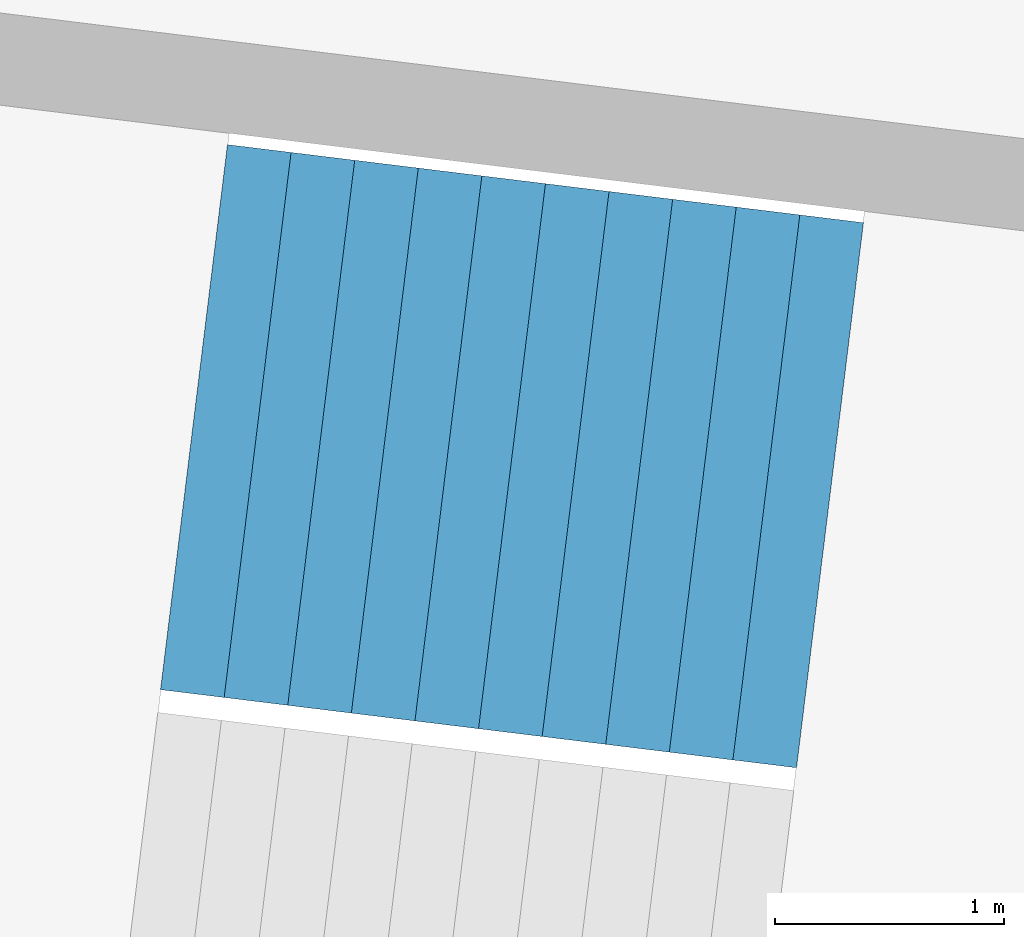
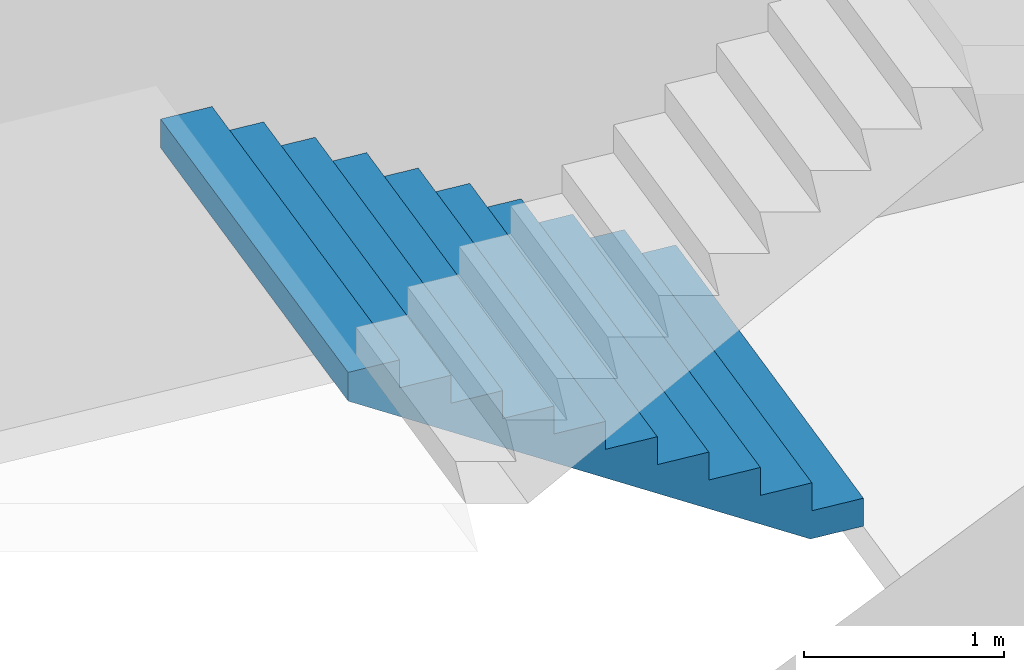
# One storey, part 28 of 73: 1 stair flight, 1 element without a shape of its own.
"""IFC4 building model written with IfcOpenShell, lengths in metres."""

from ifc_helpers import new_model, si_unit, direction, frame, origin, place, context, subcontext, project, spatial, triangles, material, type_object, element, aggregate, save


model = new_model("IFC4")

# Units and contexts
model_context = context("Model", 3, precision=1e-05, world=origin(), true_north=direction((0.0, 1.0)))
body_context = subcontext(model_context, "Body", "Model", "MODEL_VIEW")
ifc_project = project(units=[si_unit("LENGTHUNIT", "METRE"), si_unit("AREAUNIT", "SQUARE_METRE"), si_unit("VOLUMEUNIT", "CUBIC_METRE"), si_unit("PLANEANGLEUNIT", "RADIAN"), si_unit("MASSUNIT", "GRAM", prefix="KILO")], contexts=[model_context])

# Site, building, storey
site_placement = place(None, origin())
site = spatial("IfcSite", under=ifc_project, at=site_placement, CompositionType="ELEMENT")
building_placement = place(site_placement, origin())
building = spatial("IfcBuilding", under=site, at=building_placement, Name="Lantaw Convention Tower", CompositionType="ELEMENT")
storey_placement = place(building_placement, frame((0.0, 0.0, 14.5)))
storey = spatial("IfcBuildingStorey", under=building, at=storey_placement, Name="L02", CompositionType="ELEMENT", Elevation=14.5)

# Stair, stair flight
ifc_material = material(Name="Concrete C35/45", Category="concrete")
stair_type = type_object("IfcStairType", Name="Exit stair 2400 riser 170.45 in 4 flights", PredefinedType="HALF_TURN_STAIR", material=ifc_material)
stair_placement = place(storey_placement, origin())
stair = element("IfcStair", 1, at=stair_placement, inside=storey, type_object=stair_type, Name="Podium exit stair P9 L02", PredefinedType="HALF_TURN_STAIR")
stair_flight_type = type_object("IfcStairFlightType", Name="Stair flight 2400 riser 170.45", PredefinedType="STRAIGHT", material=ifc_material)
stair_flight_placement = place(storey_placement, frame((-37.9716796875, 5.921630859375, 0.0), z_axis=(0.0, 0.0, 1.0), x_axis=(-0.992546151641, 0.121869343405, 0.0)))
stair_flight = element("IfcStairFlight", 2, at=stair_flight_placement, type_object=stair_flight_type, Name="P9 flight 1", NumberOfRisers=11, NumberOfTreads=10, PredefinedType="STRAIGHT", RiserHeight=0.170454545, TreadLength=0.28, context=body_context, shape_type="Tessellation", body=[
    triangles([(0.0, 1.199951171875, 0.0), (0.0, 1.199951171875, 0.170454545), (0.28, 1.199951171875, 0.0), (0.28, 1.199951171875, 0.170454545), (0.28, 1.199951171875, 0.34090909), (0.28827876332691904, 1.199951171875, 0.0), (0.28827876332691904, 1.199951171875, 0.34090909), (0.56, 1.199951171875, 0.16541471344266906), (0.56, 1.199951171875, 0.34090909), (0.56, 1.199951171875, 0.511363635), (0.8400000000000001, 1.199951171875, 0.335869258442669), (0.8400000000000001, 1.199951171875, 0.511363635), (0.8400000000000001, 1.199951171875, 0.68181818), (1.12, 1.199951171875, 0.506323803442669), (1.12, 1.199951171875, 0.68181818), (1.12, 1.199951171875, 0.8522727250000001), (1.4000000000000001, 1.199951171875, 0.676778348442669), (1.4000000000000001, 1.199951171875, 0.8522727250000001), (1.4000000000000001, 1.199951171875, 1.02272727), (1.6800000000000002, 1.199951171875, 0.847232893442669), (1.6800000000000002, 1.199951171875, 1.02272727), (1.6800000000000002, 1.199951171875, 1.193181815), (1.9600000000000002, 1.199951171875, 1.017687438442669), (1.9600000000000002, 1.199951171875, 1.193181815), (1.9600000000000002, 1.199951171875, 1.36363636), (2.24, 1.199951171875, 1.188141983442669), (2.24, 1.199951171875, 1.36363636), (2.24, 1.199951171875, 1.5340909050000002), (2.5200000000000005, 1.199951171875, 1.358596528442669), (2.5200000000000005, 1.199951171875, 1.5340909050000002), (2.5200000000000005, 1.199951171875, 1.7045454500000001), (2.8000000000000003, 1.199951171875, 1.529051073442669), (2.8000000000000003, 1.199951171875, 1.7045454500000001), (0.0, -1.199951171875, 0.0), (0.0, -1.199951171875, 0.170454545), (0.28, -1.199951171875, 0.0), (0.28, -1.199951171875, 0.170454545), (0.28, -1.199951171875, 0.34090909), (0.28827876332691904, -1.199951171875, 0.0), (0.28827876332691904, -1.199951171875, 0.34090909), (0.56, -1.199951171875, 0.16541471344266906), (0.56, -1.199951171875, 0.34090909), (0.56, -1.199951171875, 0.511363635), (0.8400000000000001, -1.199951171875, 0.335869258442669), (0.8400000000000001, -1.199951171875, 0.511363635), (0.8400000000000001, -1.199951171875, 0.68181818), (1.12, -1.199951171875, 0.506323803442669), (1.12, -1.199951171875, 0.68181818), (1.12, -1.199951171875, 0.8522727250000001), (1.4000000000000001, -1.199951171875, 0.676778348442669), (1.4000000000000001, -1.199951171875, 0.8522727250000001), (1.4000000000000001, -1.199951171875, 1.02272727), (1.6800000000000002, -1.199951171875, 0.847232893442669), (1.6800000000000002, -1.199951171875, 1.02272727), (1.6800000000000002, -1.199951171875, 1.193181815), (1.9600000000000002, -1.199951171875, 1.017687438442669), (1.9600000000000002, -1.199951171875, 1.193181815), (1.9600000000000002, -1.199951171875, 1.36363636), (2.24, -1.199951171875, 1.188141983442669), (2.24, -1.199951171875, 1.36363636), (2.24, -1.199951171875, 1.5340909050000002), (2.5200000000000005, -1.199951171875, 1.358596528442669), (2.5200000000000005, -1.199951171875, 1.5340909050000002), (2.5200000000000005, -1.199951171875, 1.7045454500000001), (2.8000000000000003, -1.199951171875, 1.529051073442669), (2.8000000000000003, -1.199951171875, 1.7045454500000001), (0.0, 0.239990234375, 0.170454545), (0.0, 0.239990234375, 0.0), (0.0, 0.1199951171875, 0.170454545), (0.0, 0.1199951171875, 0.0), (0.0, 0.0, 0.170454545), (0.0, 0.0, 0.0), (0.0, -0.1199951171875, 0.170454545), (0.0, -0.1199951171875, 0.0), (0.0, -0.239990234375, 0.170454545), (0.0, -0.239990234375, 0.0), (0.28, 0.239990234375, 0.34090909), (0.28, 0.239990234375, 0.170454545), (0.28, 0.1199951171875, 0.34090909), (0.28, 0.1199951171875, 0.170454545), (0.28, 0.0, 0.34090909), (0.28, 0.0, 0.170454545), (0.28, -0.1199951171875, 0.34090909), (0.28, -0.1199951171875, 0.170454545), (0.28, -0.239990234375, 0.34090909), (0.28, -0.239990234375, 0.170454545), (0.56, 0.239990234375, 0.511363635), (0.56, 0.239990234375, 0.34090909), (0.56, 0.1199951171875, 0.511363635), (0.56, 0.1199951171875, 0.34090909), (0.56, 0.0, 0.511363635), (0.56, 0.0, 0.34090909), (0.56, -0.1199951171875, 0.511363635), (0.56, -0.1199951171875, 0.34090909), (0.56, -0.239990234375, 0.511363635), (0.56, -0.239990234375, 0.34090909), (0.8400000000000001, 0.239990234375, 0.68181818), (0.8400000000000001, 0.239990234375, 0.511363635), (0.8400000000000001, 0.1199951171875, 0.68181818), (0.8400000000000001, 0.1199951171875, 0.511363635), (0.8400000000000001, 0.0, 0.68181818), (0.8400000000000001, 0.0, 0.511363635), (0.8400000000000001, -0.1199951171875, 0.68181818), (0.8400000000000001, -0.1199951171875, 0.511363635), (0.8400000000000001, -0.239990234375, 0.68181818), (0.8400000000000001, -0.239990234375, 0.511363635), (1.12, 0.239990234375, 0.8522727250000001), (1.12, 0.239990234375, 0.68181818), (1.12, 0.1199951171875, 0.8522727250000001), (1.12, 0.1199951171875, 0.68181818), (1.12, 0.0, 0.8522727250000001), (1.12, 0.0, 0.68181818), (1.12, -0.1199951171875, 0.8522727250000001), (1.12, -0.1199951171875, 0.68181818), (1.12, -0.239990234375, 0.8522727250000001), (1.12, -0.239990234375, 0.68181818), (1.4000000000000001, 0.239990234375, 1.02272727), (1.4000000000000001, 0.239990234375, 0.8522727250000001), (1.4000000000000001, 0.1199951171875, 1.02272727), (1.4000000000000001, 0.1199951171875, 0.8522727250000001), (1.4000000000000001, 0.0, 1.02272727), (1.4000000000000001, 0.0, 0.8522727250000001), (1.4000000000000001, -0.1199951171875, 1.02272727), (1.4000000000000001, -0.1199951171875, 0.8522727250000001), (1.4000000000000001, -0.239990234375, 1.02272727), (1.4000000000000001, -0.239990234375, 0.8522727250000001), (1.6800000000000002, 0.239990234375, 1.193181815), (1.6800000000000002, 0.239990234375, 1.02272727), (1.6800000000000002, 0.1199951171875, 1.193181815), (1.6800000000000002, 0.1199951171875, 1.02272727), (1.6800000000000002, 0.0, 1.193181815), (1.6800000000000002, 0.0, 1.02272727), (1.6800000000000002, -0.1199951171875, 1.193181815), (1.6800000000000002, -0.1199951171875, 1.02272727), (1.6800000000000002, -0.239990234375, 1.193181815), (1.6800000000000002, -0.239990234375, 1.02272727), (1.9600000000000002, 0.239990234375, 1.36363636), (1.9600000000000002, 0.239990234375, 1.193181815), (1.9600000000000002, 0.1199951171875, 1.36363636), (1.9600000000000002, 0.1199951171875, 1.193181815), (1.9600000000000002, 0.0, 1.36363636), (1.9600000000000002, 0.0, 1.193181815), (1.9600000000000002, -0.1199951171875, 1.36363636), (1.9600000000000002, -0.1199951171875, 1.193181815), (1.9600000000000002, -0.239990234375, 1.36363636), (1.9600000000000002, -0.239990234375, 1.193181815), (2.24, 0.239990234375, 1.5340909050000002), (2.24, 0.239990234375, 1.36363636), (2.24, 0.1199951171875, 1.5340909050000002), (2.24, 0.1199951171875, 1.36363636), (2.24, 0.0, 1.5340909050000002), (2.24, 0.0, 1.36363636), (2.24, -0.1199951171875, 1.5340909050000002), (2.24, -0.1199951171875, 1.36363636), (2.24, -0.239990234375, 1.5340909050000002), (2.24, -0.239990234375, 1.36363636), (2.5200000000000005, 0.239990234375, 1.7045454500000001), (2.5200000000000005, 0.239990234375, 1.5340909050000002), (2.5200000000000005, 0.1199951171875, 1.7045454500000001), (2.5200000000000005, 0.1199951171875, 1.5340909050000002), (2.5200000000000005, 0.0, 1.7045454500000001), (2.5200000000000005, 0.0, 1.5340909050000002), (2.5200000000000005, -0.1199951171875, 1.7045454500000001), (2.5200000000000005, -0.1199951171875, 1.5340909050000002), (2.5200000000000005, -0.239990234375, 1.7045454500000001), (2.5200000000000005, -0.239990234375, 1.5340909050000002), (0.28827876332691904, 0.239990234375, 0.34090909), (0.28827876332691904, 0.1199951171875, 0.34090909), (0.28827876332691904, 0.0, 0.34090909), (0.28827876332691904, -0.1199951171875, 0.34090909), (0.28827876332691904, -0.239990234375, 0.34090909), (2.8000000000000003, 0.239990234375, 1.7045454500000001), (2.8000000000000003, 0.1199951171875, 1.7045454500000001), (2.8000000000000003, 0.0, 1.7045454500000001), (2.8000000000000003, -0.1199951171875, 1.7045454500000001), (2.8000000000000003, -0.239990234375, 1.7045454500000001), (2.8000000000000003, 0.239990234375, 1.5290510734426692), (2.8000000000000003, 0.1199951171875, 1.5290510734426692), (2.8000000000000003, 0.0, 1.5290510734426692), (2.8000000000000003, -0.1199951171875, 1.5290510734426692), (2.8000000000000003, -0.239990234375, 1.5290510734426692), (2.5200000000000005, 0.239990234375, 1.358596528442669), (2.5200000000000005, 0.1199951171875, 1.358596528442669), (2.5200000000000005, 0.0, 1.358596528442669), (2.5200000000000005, -0.1199951171875, 1.358596528442669), (2.5200000000000005, -0.239990234375, 1.358596528442669), (2.24, 0.239990234375, 1.188141983442669), (2.24, 0.1199951171875, 1.188141983442669), (2.24, 0.0, 1.188141983442669), (2.24, -0.1199951171875, 1.188141983442669), (2.24, -0.239990234375, 1.188141983442669), (1.9600000000000002, 0.239990234375, 1.017687438442669), (1.9600000000000002, 0.1199951171875, 1.017687438442669), (1.9600000000000002, 0.0, 1.017687438442669), (1.9600000000000002, -0.1199951171875, 1.017687438442669), (1.9600000000000002, -0.239990234375, 1.017687438442669), (1.6800000000000002, 0.239990234375, 0.847232893442669), (1.6800000000000002, 0.1199951171875, 0.847232893442669), (1.6800000000000002, 0.0, 0.847232893442669), (1.6800000000000002, -0.1199951171875, 0.847232893442669), (1.6800000000000002, -0.239990234375, 0.847232893442669), (1.4000000000000001, 0.239990234375, 0.676778348442669), (1.4000000000000001, 0.1199951171875, 0.676778348442669), (1.4000000000000001, 0.0, 0.676778348442669), (1.4000000000000001, -0.1199951171875, 0.676778348442669), (1.4000000000000001, -0.239990234375, 0.676778348442669), (1.12, 0.239990234375, 0.506323803442669), (1.12, 0.1199951171875, 0.506323803442669), (1.12, 0.0, 0.506323803442669), (1.12, -0.1199951171875, 0.506323803442669), (1.12, -0.239990234375, 0.506323803442669), (0.8400000000000001, 0.239990234375, 0.335869258442669), (0.8400000000000001, 0.1199951171875, 0.335869258442669), (0.8400000000000001, 0.0, 0.335869258442669), (0.8400000000000001, -0.1199951171875, 0.335869258442669), (0.8400000000000001, -0.239990234375, 0.335869258442669), (0.56, 0.239990234375, 0.16541471344266906), (0.56, 0.1199951171875, 0.16541471344266906), (0.56, 0.0, 0.16541471344266906), (0.56, -0.1199951171875, 0.16541471344266906), (0.56, -0.239990234375, 0.16541471344266906), (0.28827876332691904, 0.239990234375, 0.0), (0.28827876332691904, 0.1199951171875, 0.0), (0.28827876332691904, 0.0, 0.0), (0.28827876332691904, -0.1199951171875, 0.0), (0.28827876332691904, -0.239990234375, 0.0), (0.28, 0.239990234375, 0.0), (0.28, 0.1199951171875, 0.0), (0.28, 0.0, 0.0), (0.28, -0.1199951171875, 0.0), (0.28, -0.239990234375, 0.0)], [[1, 4, 3], [1, 2, 4], [3, 4, 6], [4, 7, 6], [4, 5, 7], [6, 9, 8], [6, 7, 9], [8, 9, 11], [9, 12, 11], [9, 10, 12], [11, 12, 14], [12, 15, 14], [12, 13, 15], [14, 15, 17], [15, 18, 17], [15, 16, 18], [17, 18, 20], [18, 21, 20], [18, 19, 21], [20, 21, 23], [21, 24, 23], [21, 22, 24], [23, 24, 26], [24, 27, 26], [24, 25, 27], [26, 27, 29], [27, 30, 29], [27, 28, 30], [29, 30, 32], [30, 33, 32], [30, 31, 33], [34, 36, 37], [34, 37, 35], [36, 39, 37], [37, 39, 40], [37, 40, 38], [39, 41, 42], [39, 42, 40], [41, 44, 42], [42, 44, 45], [42, 45, 43], [44, 47, 45], [45, 47, 48], [45, 48, 46], [47, 50, 48], [48, 50, 51], [48, 51, 49], [50, 53, 51], [51, 53, 54], [51, 54, 52], [53, 56, 54], [54, 56, 57], [54, 57, 55], [56, 59, 57], [57, 59, 60], [57, 60, 58], [59, 62, 60], [60, 62, 63], [60, 63, 61], [62, 65, 63], [63, 65, 66], [63, 66, 64], [1, 67, 2], [1, 68, 67], [68, 69, 67], [68, 70, 69], [70, 71, 69], [70, 72, 71], [72, 73, 71], [72, 74, 73], [74, 75, 73], [74, 76, 75], [76, 35, 75], [76, 34, 35], [4, 77, 5], [4, 78, 77], [78, 79, 77], [78, 80, 79], [80, 81, 79], [80, 82, 81], [82, 83, 81], [82, 84, 83], [84, 85, 83], [84, 86, 85], [86, 38, 85], [86, 37, 38], [9, 87, 10], [9, 88, 87], [88, 89, 87], [88, 90, 89], [90, 91, 89], [90, 92, 91], [92, 93, 91], [92, 94, 93], [94, 95, 93], [94, 96, 95], [96, 43, 95], [96, 42, 43], [12, 97, 13], [12, 98, 97], [98, 99, 97], [98, 100, 99], [100, 101, 99], [100, 102, 101], [102, 103, 101], [102, 104, 103], [104, 105, 103], [104, 106, 105], [106, 46, 105], [106, 45, 46], [15, 107, 16], [15, 108, 107], [108, 109, 107], [108, 110, 109], [110, 111, 109], [110, 112, 111], [112, 113, 111], [112, 114, 113], [114, 115, 113], [114, 116, 115], [116, 49, 115], [116, 48, 49], [18, 117, 19], [18, 118, 117], [118, 119, 117], [118, 120, 119], [120, 121, 119], [120, 122, 121], [122, 123, 121], [122, 124, 123], [124, 125, 123], [124, 126, 125], [126, 52, 125], [126, 51, 52], [21, 127, 22], [21, 128, 127], [128, 129, 127], [128, 130, 129], [130, 131, 129], [130, 132, 131], [132, 133, 131], [132, 134, 133], [134, 135, 133], [134, 136, 135], [136, 55, 135], [136, 54, 55], [24, 137, 25], [24, 138, 137], [138, 139, 137], [138, 140, 139], [140, 141, 139], [140, 142, 141], [142, 143, 141], [142, 144, 143], [144, 145, 143], [144, 146, 145], [146, 58, 145], [146, 57, 58], [27, 147, 28], [27, 148, 147], [148, 149, 147], [148, 150, 149], [150, 151, 149], [150, 152, 151], [152, 153, 151], [152, 154, 153], [154, 155, 153], [154, 156, 155], [156, 61, 155], [156, 60, 61], [30, 157, 31], [30, 158, 157], [158, 159, 157], [158, 160, 159], [160, 161, 159], [160, 162, 161], [162, 163, 161], [162, 164, 163], [164, 165, 163], [164, 166, 165], [166, 64, 165], [166, 63, 64], [2, 78, 4], [2, 67, 78], [67, 80, 78], [67, 69, 80], [69, 82, 80], [69, 71, 82], [71, 84, 82], [71, 73, 84], [73, 86, 84], [73, 75, 86], [75, 37, 86], [75, 35, 37], [5, 167, 7], [5, 77, 167], [77, 168, 167], [77, 79, 168], [79, 169, 168], [79, 81, 169], [81, 170, 169], [81, 83, 170], [83, 171, 170], [83, 85, 171], [85, 40, 171], [85, 38, 40], [7, 88, 9], [7, 167, 88], [167, 90, 88], [167, 168, 90], [168, 92, 90], [168, 169, 92], [169, 94, 92], [169, 170, 94], [170, 96, 94], [170, 171, 96], [171, 42, 96], [171, 40, 42], [10, 98, 12], [10, 87, 98], [87, 100, 98], [87, 89, 100], [89, 102, 100], [89, 91, 102], [91, 104, 102], [91, 93, 104], [93, 106, 104], [93, 95, 106], [95, 45, 106], [95, 43, 45], [13, 108, 15], [13, 97, 108], [97, 110, 108], [97, 99, 110], [99, 112, 110], [99, 101, 112], [101, 114, 112], [101, 103, 114], [103, 116, 114], [103, 105, 116], [105, 48, 116], [105, 46, 48], [16, 118, 18], [16, 107, 118], [107, 120, 118], [107, 109, 120], [109, 122, 120], [109, 111, 122], [111, 124, 122], [111, 113, 124], [113, 126, 124], [113, 115, 126], [115, 51, 126], [115, 49, 51], [19, 128, 21], [19, 117, 128], [117, 130, 128], [117, 119, 130], [119, 132, 130], [119, 121, 132], [121, 134, 132], [121, 123, 134], [123, 136, 134], [123, 125, 136], [125, 54, 136], [125, 52, 54], [22, 138, 24], [22, 127, 138], [127, 140, 138], [127, 129, 140], [129, 142, 140], [129, 131, 142], [131, 144, 142], [131, 133, 144], [133, 146, 144], [133, 135, 146], [135, 57, 146], [135, 55, 57], [25, 148, 27], [25, 137, 148], [137, 150, 148], [137, 139, 150], [139, 152, 150], [139, 141, 152], [141, 154, 152], [141, 143, 154], [143, 156, 154], [143, 145, 156], [145, 60, 156], [145, 58, 60], [28, 158, 30], [28, 147, 158], [147, 160, 158], [147, 149, 160], [149, 162, 160], [149, 151, 162], [151, 164, 162], [151, 153, 164], [153, 166, 164], [153, 155, 166], [155, 63, 166], [155, 61, 63], [31, 172, 33], [31, 157, 172], [157, 173, 172], [157, 159, 173], [159, 174, 173], [159, 161, 174], [161, 175, 174], [161, 163, 175], [163, 176, 175], [163, 165, 176], [165, 66, 176], [165, 64, 66], [33, 177, 32], [33, 172, 177], [172, 178, 177], [172, 173, 178], [173, 179, 178], [173, 174, 179], [174, 180, 179], [174, 175, 180], [175, 181, 180], [175, 176, 181], [176, 65, 181], [176, 66, 65], [32, 182, 29], [32, 177, 182], [177, 183, 182], [177, 178, 183], [178, 184, 183], [178, 179, 184], [179, 185, 184], [179, 180, 185], [180, 186, 185], [180, 181, 186], [181, 62, 186], [181, 65, 62], [29, 187, 26], [29, 182, 187], [182, 188, 187], [182, 183, 188], [183, 189, 188], [183, 184, 189], [184, 190, 189], [184, 185, 190], [185, 191, 190], [185, 186, 191], [186, 59, 191], [186, 62, 59], [26, 192, 23], [26, 187, 192], [187, 193, 192], [187, 188, 193], [188, 194, 193], [188, 189, 194], [189, 195, 194], [189, 190, 195], [190, 196, 195], [190, 191, 196], [191, 56, 196], [191, 59, 56], [23, 197, 20], [23, 192, 197], [192, 198, 197], [192, 193, 198], [193, 199, 198], [193, 194, 199], [194, 200, 199], [194, 195, 200], [195, 201, 200], [195, 196, 201], [196, 53, 201], [196, 56, 53], [20, 202, 17], [20, 197, 202], [197, 203, 202], [197, 198, 203], [198, 204, 203], [198, 199, 204], [199, 205, 204], [199, 200, 205], [200, 206, 205], [200, 201, 206], [201, 50, 206], [201, 53, 50], [17, 207, 14], [17, 202, 207], [202, 208, 207], [202, 203, 208], [203, 209, 208], [203, 204, 209], [204, 210, 209], [204, 205, 210], [205, 211, 210], [205, 206, 211], [206, 47, 211], [206, 50, 47], [14, 212, 11], [14, 207, 212], [207, 213, 212], [207, 208, 213], [208, 214, 213], [208, 209, 214], [209, 215, 214], [209, 210, 215], [210, 216, 215], [210, 211, 216], [211, 44, 216], [211, 47, 44], [11, 217, 8], [11, 212, 217], [212, 218, 217], [212, 213, 218], [213, 219, 218], [213, 214, 219], [214, 220, 219], [214, 215, 220], [215, 221, 220], [215, 216, 221], [216, 41, 221], [216, 44, 41], [8, 222, 6], [8, 217, 222], [217, 223, 222], [217, 218, 223], [218, 224, 223], [218, 219, 224], [219, 225, 224], [219, 220, 225], [220, 226, 225], [220, 221, 226], [221, 39, 226], [221, 41, 39], [6, 227, 3], [6, 222, 227], [222, 228, 227], [222, 223, 228], [223, 229, 228], [223, 224, 229], [224, 230, 229], [224, 225, 230], [225, 231, 230], [225, 226, 231], [226, 36, 231], [226, 39, 36], [3, 68, 1], [3, 227, 68], [227, 70, 68], [227, 228, 70], [228, 72, 70], [228, 229, 72], [229, 74, 72], [229, 230, 74], [230, 76, 74], [230, 231, 76], [231, 34, 76], [231, 36, 34]], closed=True),
])
aggregate(stair, [stair_flight])

save(model, "model.ifc")
